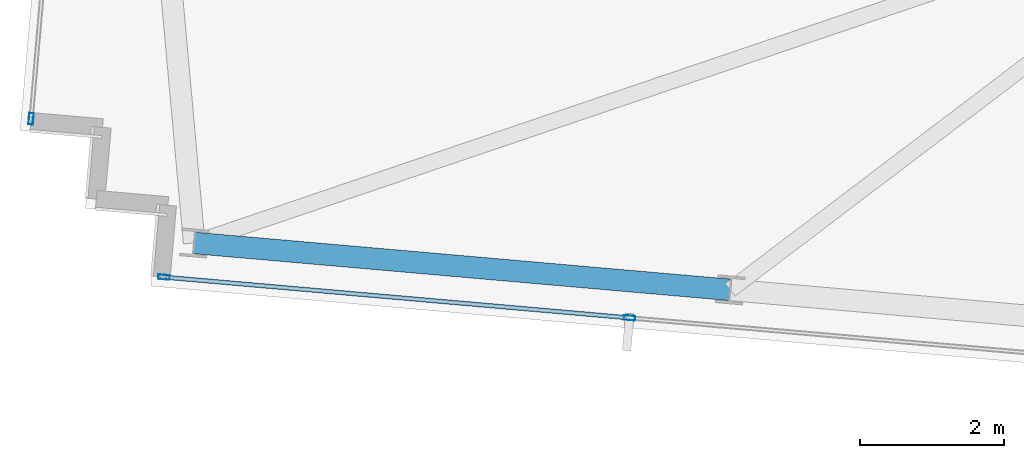
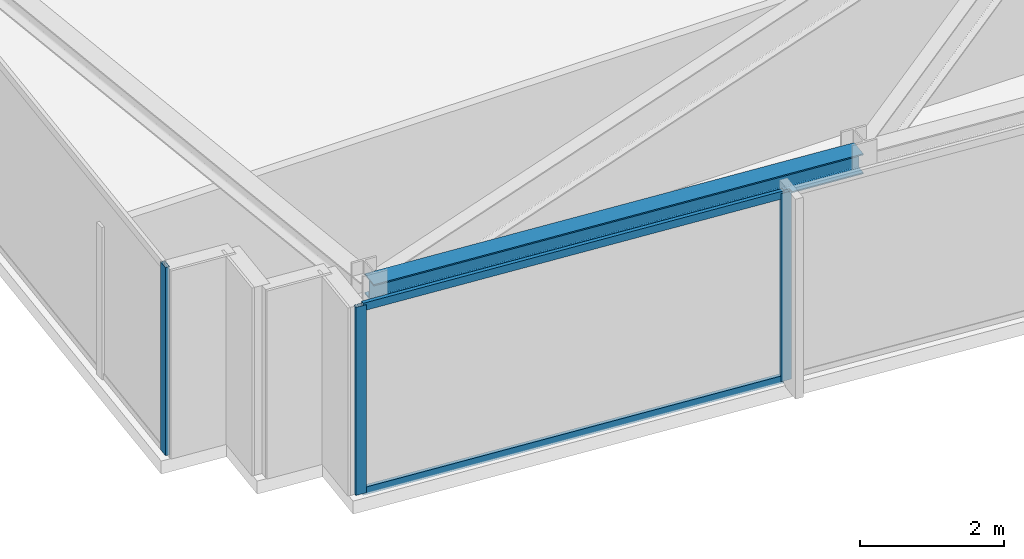
# One storey, part 2 of 33: 5 members, 1 beam, 2 elements without a shape of their own.
"""IFC4 building model written with IfcOpenShell, lengths in metres."""

from ifc_helpers import new_model, si_unit, direction, frame, origin, origin_2d, place, context, subcontext, project, spatial, hollow_rectangle, i_section, extrude, material, material_profile, profile_set, type_object, element, aggregate, save


model = new_model("IFC4")

# Units and contexts
model_context = context("Model", 3, precision=1e-05, world=origin(), true_north=direction((0.0, 1.0)))
body_context = subcontext(model_context, "Body", "Model", "MODEL_VIEW")
ifc_project = project(units=[si_unit("LENGTHUNIT", "METRE"), si_unit("AREAUNIT", "SQUARE_METRE"), si_unit("VOLUMEUNIT", "CUBIC_METRE"), si_unit("PLANEANGLEUNIT", "RADIAN"), si_unit("MASSUNIT", "GRAM", prefix="KILO")], contexts=[model_context])

# Site, building, storey
site_placement = place(None, origin())
site = spatial("IfcSite", under=ifc_project, at=site_placement, CompositionType="ELEMENT")
building_placement = place(site_placement, origin())
building = spatial("IfcBuilding", under=site, at=building_placement, Name="Yelkora Congress Tower", CompositionType="ELEMENT")
storey_placement = place(building_placement, frame((0.0, 0.0, 282.89990234375)))
storey = spatial("IfcBuildingStorey", under=building, at=storey_placement, Name="L79", CompositionType="ELEMENT", Elevation=282.89990234375)

# Beam
ifc_material_1 = material(Name="Steel S355J2", Category="steel")
ifc_material_profile_1 = material_profile(ifc_material_1, i_section(OverallWidth=0.300048828125, OverallDepth=0.340087890625, WebThickness=0.011962890625, FlangeThickness=0.021484375, FilletRadius=0.027099609375, at=origin_2d()), Name="HEB 340")
ifc_profile_set_1 = profile_set([ifc_material_profile_1], Name="Steel S355J2")
beam_type = type_object("IfcBeamType", Name="BM-SPAN-HEB340", PredefinedType="SPANDREL", material=ifc_profile_set_1)
beam_placement = place(storey_placement, frame((7.998046875, 20.097900390625, 3.010009765625), z_axis=(0.996193186297, -0.08717302092, 0.0), x_axis=(0.08717302092, 0.996193186297, 0.0)))
element("IfcBeam", 1, at=beam_placement, inside=storey, type_object=beam_type, Name="L79 Perimeter Beam 1", PredefinedType="SPANDREL", context=body_context, shape_type="SweptSolid", body=[
    extrude(i_section(OverallWidth=0.300048828125, OverallDepth=0.340087890625, WebThickness=0.011962890625, FlangeThickness=0.021484375, FilletRadius=0.027099609375, at=origin_2d()), origin(), (0.0, 0.0, 1.0), 7.4833984375),
])

# Curtain wall, member
ifc_material_2 = material(Name="Anodised aluminium and insulated glass", Category="aluminium")
curtain_wall_type = type_object("IfcCurtainWallType", Name="CW-SYS-B5", PredefinedType="NOTDEFINED", material=ifc_material_2)
curtain_wall_1_placement = place(storey_placement, origin())
curtain_wall_1 = element("IfcCurtainWall", 2, at=curtain_wall_1_placement, inside=storey, type_object=curtain_wall_type, Name="L79 Unitised Curtain Wall 5", PredefinedType="NOTDEFINED")
ifc_material_3 = material(Name="Anodised aluminium 6063-T6", Category="aluminium")
ifc_material_profile_2 = material_profile(ifc_material_3, hollow_rectangle(XDim=0.06494140625, YDim=0.159912109375, WallThickness=0.00390625, at=origin_2d()), Name="ALU 65x160x4")
ifc_profile_set_2 = profile_set([ifc_material_profile_2], Name="Anodised aluminium 6063-T6")
member_type_1 = type_object("IfcMemberType", Name="MEM-ML-B5", PredefinedType="MULLION", material=ifc_profile_set_2)
member_1_placement = place(storey_placement, frame((5.72998046875, 21.824462890625, 0.0), z_axis=(0.0, 0.0, 1.0), x_axis=(-0.996194785929, 0.08715473876, 0.0)))
member_1 = element("IfcMember", 3, at=member_1_placement, type_object=member_type_1, Name="CW-B5 mullion 1", PredefinedType="MULLION", context=body_context, shape_type="SweptSolid", body=[
    extrude(hollow_rectangle(XDim=0.06494140625, YDim=0.159912109375, WallThickness=0.00390625, at=origin_2d()), origin(), (0.0, 0.0, 1.0), 3.18017578125),
])
aggregate(curtain_wall_1, [member_1])

# Curtain wall, members
curtain_wall_2_placement = place(storey_placement, origin())
curtain_wall_2 = element("IfcCurtainWall", 4, at=curtain_wall_2_placement, inside=storey, type_object=curtain_wall_type, Name="L79 Unitised Curtain Wall 20", PredefinedType="NOTDEFINED")
member_2_placement = place(storey_placement, frame((14.0517578125, 19.05615234375, 0.0), z_axis=(0.0, 0.0, 1.0), x_axis=(-0.087156829793, -0.996194602987, 0.0)))
member_2 = element("IfcMember", 5, at=member_2_placement, type_object=member_type_1, Name="CW-B5 mullion 7", PredefinedType="MULLION", context=body_context, shape_type="SweptSolid", body=[
    extrude(hollow_rectangle(XDim=0.06494140625, YDim=0.159912109375, WallThickness=0.00390625, at=origin_2d()), origin(), (0.0, 0.0, 1.0), 3.18017578125),
])
member_3_placement = place(storey_placement, frame((7.57763671875, 19.62255859375, 0.0), z_axis=(0.0, 0.0, 1.0), x_axis=(-0.087156829793, -0.996194602987, 0.0)))
member_3 = element("IfcMember", 6, at=member_3_placement, type_object=member_type_1, Name="CW-B5 mullion 8", PredefinedType="MULLION", context=body_context, shape_type="SweptSolid", body=[
    extrude(hollow_rectangle(XDim=0.06494140625, YDim=0.159912109375, WallThickness=0.00390625, at=origin_2d()), origin(), (0.0, 0.0, 1.0), 3.18017578125),
])
ifc_material_profile_3 = material_profile(ifc_material_3, hollow_rectangle(XDim=0.06005859375, YDim=0.1298828125, WallThickness=0.00390625, at=origin_2d()), Name="ALU 60x130x4")
ifc_profile_set_3 = profile_set([ifc_material_profile_3], Name="Anodised aluminium 6063-T6")
member_type_2 = type_object("IfcMemberType", Name="MEM-TR-B5", PredefinedType="USERDEFINED", material=ifc_profile_set_3)
member_4_placement = place(storey_placement, frame((14.019287109375, 19.05908203125, 0.030029296875), z_axis=(-0.996194170551, 0.08716177236, 0.0), x_axis=(-0.08716177236, -0.996194170551, 0.0)))
member_4 = element("IfcMember", 7, at=member_4_placement, type_object=member_type_2, Name="CW-B5 transom 7.1", ObjectType="TRANSOM", PredefinedType="USERDEFINED", context=body_context, shape_type="SweptSolid", body=[
    extrude(hollow_rectangle(XDim=0.06005859375, YDim=0.1298828125, WallThickness=0.00390625, at=origin_2d()), origin(), (0.0, 0.0, 1.0), 6.433837890625),
])
member_5_placement = place(storey_placement, frame((14.019287109375, 19.05908203125, 3.150146484375), z_axis=(-0.996194170551, 0.08716177236, 0.0), x_axis=(-0.08716177236, -0.996194170551, 0.0)))
member_5 = element("IfcMember", 8, at=member_5_placement, type_object=member_type_2, Name="CW-B5 transom 7.2", ObjectType="TRANSOM", PredefinedType="USERDEFINED", context=body_context, shape_type="SweptSolid", body=[
    extrude(hollow_rectangle(XDim=0.06005859375, YDim=0.1298828125, WallThickness=0.00390625, at=origin_2d()), origin(), (0.0, 0.0, 1.0), 6.433837890625),
])
aggregate(curtain_wall_2, [member_2, member_3, member_4, member_5])

save(model, "model.ifc")
